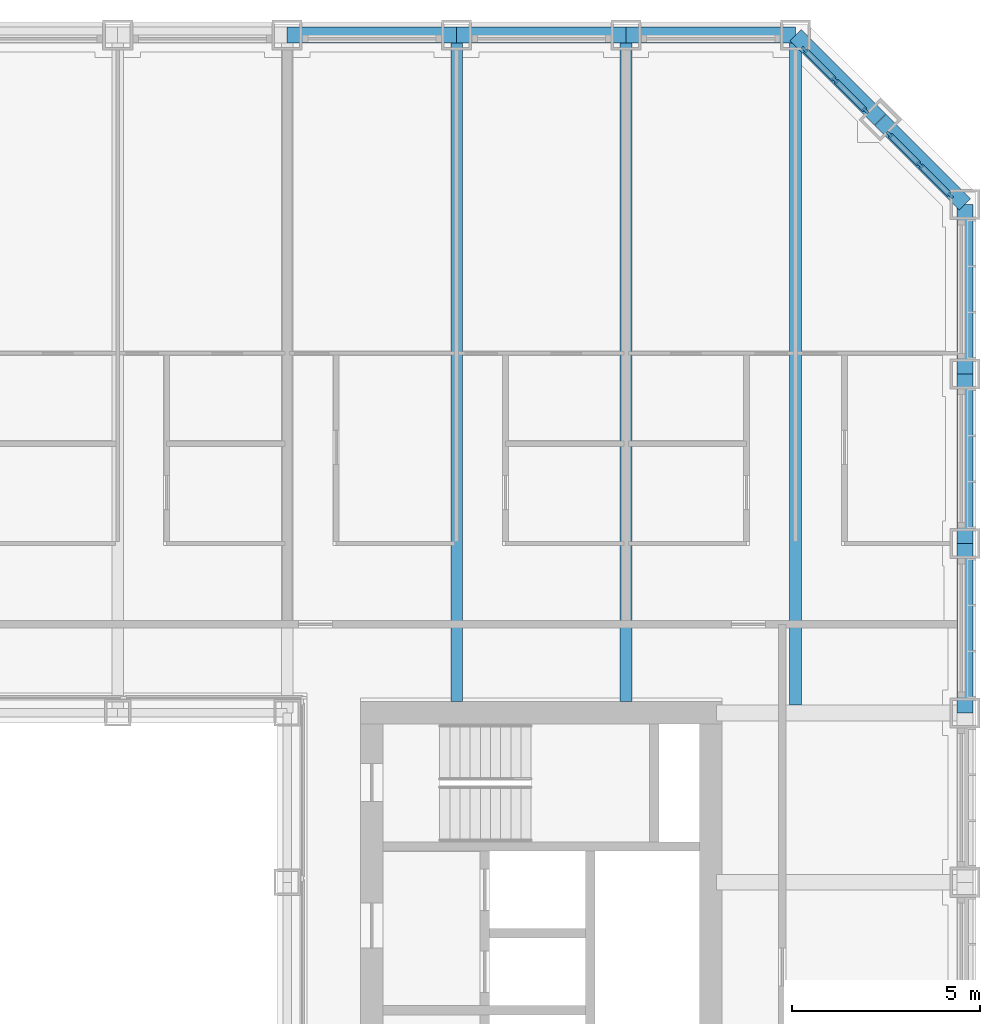
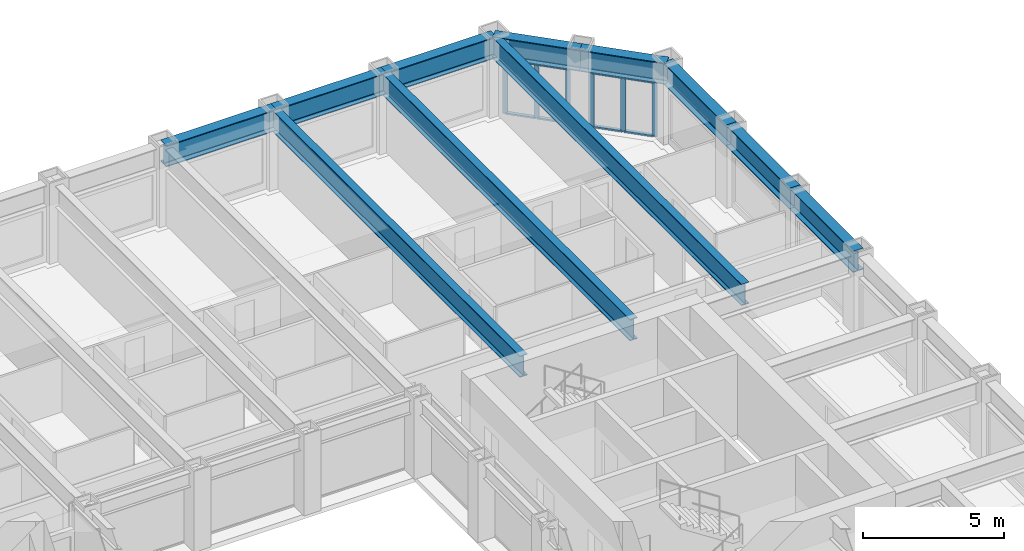
# One storey, part 7 of 21: 14 members, 11 beams, 2 elements without a shape of their own.
"""IFC4 building model written with IfcOpenShell, lengths in metres."""

from ifc_helpers import new_model, si_unit, direction, frame, origin, origin_2d, place, context, subcontext, project, spatial, rectangle, i_section, extrude, material, material_profile, profile_set, type_object, element, aggregate, save


model = new_model("IFC4")

# Units and contexts
model_context = context("Model", 3, precision=1e-05, world=origin(), true_north=direction((0.0, 1.0)))
body_context = subcontext(model_context, "Body", "Model", "MODEL_VIEW")
ifc_project = project(units=[si_unit("LENGTHUNIT", "METRE"), si_unit("AREAUNIT", "SQUARE_METRE"), si_unit("VOLUMEUNIT", "CUBIC_METRE"), si_unit("PLANEANGLEUNIT", "RADIAN"), si_unit("MASSUNIT", "GRAM", prefix="KILO")], contexts=[model_context])

# Site, building, storey
site_placement = place(None, origin())
site = spatial("IfcSite", under=ifc_project, at=site_placement, CompositionType="ELEMENT")
building_placement = place(site_placement, origin())
building = spatial("IfcBuilding", under=site, at=building_placement, Name="Msasa Ring Tower", CompositionType="ELEMENT")
storey_placement = place(building_placement, frame((0.0, 0.0, 54.5)))
storey = spatial("IfcBuildingStorey", under=building, at=storey_placement, Name="L13", CompositionType="ELEMENT", Elevation=54.5)

# Curtain wall, members
ifc_material_1 = material(Name="Aluminium curtain wall with clear glass", Category="aluminium")
curtain_wall_type = type_object("IfcCurtainWallType", Name="CW-C CHAMFER CORNER CURTAIN WALL", PredefinedType="NOTDEFINED", material=ifc_material_1)
curtain_wall_1_placement = place(storey_placement, origin())
curtain_wall_1 = element("IfcCurtainWall", 1, at=curtain_wall_1_placement, inside=storey, type_object=curtain_wall_type, Name="Chamfer corner curtain wall NE L13", PredefinedType="NOTDEFINED")
ifc_material_2 = material(Name="Aluminium mullion", Category="aluminium")
ifc_material_profile_1 = material_profile(ifc_material_2, rectangle(XDim=0.06494140625, YDim=0.179931640625, at=origin_2d()), Name="AL 65x180")
ifc_profile_set_1 = profile_set([ifc_material_profile_1], Name="Aluminium mullion")
member_type_1 = type_object("IfcMemberType", Name="CW-C MULLION 65x180", PredefinedType="MULLION", material=ifc_profile_set_1)
member_1_placement = place(storey_placement, frame((22.119873046875, 22.73876953125, 0.0), z_axis=(0.0, 0.0, 1.0), x_axis=(-0.707106781187, -0.707106781187, 0.0)))
member_1 = element("IfcMember", 2, at=member_1_placement, type_object=member_type_1, Name="CW-C mullion 1", PredefinedType="MULLION", context=body_context, shape_type="SweptSolid", body=[
    extrude(rectangle(XDim=0.06494140625, YDim=0.179931640625, at=origin_2d()), origin(), (0.0, 0.0, 1.0), 2.37890625),
])
member_2_placement = place(storey_placement, frame((21.30419921875, 23.55419921875, 0.0), z_axis=(0.0, 0.0, 1.0), x_axis=(-0.707106781187, -0.707106781187, 0.0)))
member_2 = element("IfcMember", 3, at=member_2_placement, type_object=member_type_1, Name="CW-C mullion 2", PredefinedType="MULLION", context=body_context, shape_type="SweptSolid", body=[
    extrude(rectangle(XDim=0.06494140625, YDim=0.179931640625, at=origin_2d()), origin(), (0.0, 0.0, 1.0), 2.37890625),
])
member_3_placement = place(storey_placement, frame((20.48876953125, 24.369873046875, 0.0), z_axis=(0.0, 0.0, 1.0), x_axis=(-0.707106781187, -0.707106781187, 0.0)))
member_3 = element("IfcMember", 4, at=member_3_placement, type_object=member_type_1, Name="CW-C mullion 3", PredefinedType="MULLION", context=body_context, shape_type="SweptSolid", body=[
    extrude(rectangle(XDim=0.06494140625, YDim=0.179931640625, at=origin_2d()), origin(), (0.0, 0.0, 1.0), 2.37890625),
])

curtain_wall_2_placement = place(storey_placement, origin())
curtain_wall_2 = element("IfcCurtainWall", 5, at=curtain_wall_2_placement, inside=storey, type_object=curtain_wall_type, Name="Chamfer corner curtain wall NE L13", PredefinedType="NOTDEFINED")
member_4_placement = place(storey_placement, frame((24.369873046875, 20.48876953125, 0.0), z_axis=(0.0, 0.0, 1.0), x_axis=(-0.707106781187, -0.707106781187, 0.0)))
member_4 = element("IfcMember", 6, at=member_4_placement, type_object=member_type_1, Name="CW-C mullion 1", PredefinedType="MULLION", context=body_context, shape_type="SweptSolid", body=[
    extrude(rectangle(XDim=0.06494140625, YDim=0.179931640625, at=origin_2d()), origin(), (0.0, 0.0, 1.0), 2.37890625),
])
member_5_placement = place(storey_placement, frame((23.55419921875, 21.30419921875, 0.0), z_axis=(0.0, 0.0, 1.0), x_axis=(-0.707106781187, -0.707106781187, 0.0)))
member_5 = element("IfcMember", 7, at=member_5_placement, type_object=member_type_1, Name="CW-C mullion 2", PredefinedType="MULLION", context=body_context, shape_type="SweptSolid", body=[
    extrude(rectangle(XDim=0.06494140625, YDim=0.179931640625, at=origin_2d()), origin(), (0.0, 0.0, 1.0), 2.37890625),
])
member_6_placement = place(storey_placement, frame((22.73876953125, 22.119873046875, 0.0), z_axis=(0.0, 0.0, 1.0), x_axis=(-0.707106781187, -0.707106781187, 0.0)))
member_6 = element("IfcMember", 8, at=member_6_placement, type_object=member_type_1, Name="CW-C mullion 3", PredefinedType="MULLION", context=body_context, shape_type="SweptSolid", body=[
    extrude(rectangle(XDim=0.06494140625, YDim=0.179931640625, at=origin_2d()), origin(), (0.0, 0.0, 1.0), 2.37890625),
])

# Member
ifc_material_3 = material(Name="Aluminium transom", Category="aluminium")
ifc_material_profile_2 = material_profile(ifc_material_3, rectangle(XDim=0.139892578125, YDim=0.06494140625, at=origin_2d()), Name="AL 65x140")
ifc_profile_set_2 = profile_set([ifc_material_profile_2], Name="Aluminium transom")
member_type_2 = type_object("IfcMemberType", Name="CW-C TRANSOM 65x140", PredefinedType="USERDEFINED", material=ifc_profile_set_2)
member_7_placement = place(storey_placement, frame((22.096923828125, 22.76171875, 0.032470703125), z_axis=(-0.707106781187, 0.707106781187, 0.0), x_axis=(-0.707106781187, -0.707106781187, 0.0)))
member_7 = element("IfcMember", 9, at=member_7_placement, type_object=member_type_2, Name="CW-C transom 1.1", ObjectType="TRANSOM", PredefinedType="USERDEFINED", context=body_context, shape_type="SweptSolid", body=[
    extrude(rectangle(XDim=0.139892578125, YDim=0.06494140625, at=origin_2d()), origin(), (0.0, 0.0, 1.0), 1.08837890625),
])

member_8_placement = place(storey_placement, frame((22.096923828125, 22.76171875, 2.346435546875), z_axis=(-0.707106781187, 0.707106781187, 0.0), x_axis=(-0.707106781187, -0.707106781187, 0.0)))
member_8 = element("IfcMember", 10, at=member_8_placement, type_object=member_type_2, Name="CW-C transom 1.2", ObjectType="TRANSOM", PredefinedType="USERDEFINED", context=body_context, shape_type="SweptSolid", body=[
    extrude(rectangle(XDim=0.139892578125, YDim=0.06494140625, at=origin_2d()), origin(), (0.0, 0.0, 1.0), 1.08837890625),
])

member_9_placement = place(storey_placement, frame((21.28125, 23.577392578125, 0.032470703125), z_axis=(-0.707106781187, 0.707106781187, 0.0), x_axis=(-0.707106781187, -0.707106781187, 0.0)))
member_9 = element("IfcMember", 11, at=member_9_placement, type_object=member_type_2, Name="CW-C transom 2.1", ObjectType="TRANSOM", PredefinedType="USERDEFINED", context=body_context, shape_type="SweptSolid", body=[
    extrude(rectangle(XDim=0.139892578125, YDim=0.06494140625, at=origin_2d()), origin(), (0.0, 0.0, 1.0), 1.08837890625),
])

member_10_placement = place(storey_placement, frame((21.28125, 23.577392578125, 2.346435546875), z_axis=(-0.707106781187, 0.707106781187, 0.0), x_axis=(-0.707106781187, -0.707106781187, 0.0)))
member_10 = element("IfcMember", 12, at=member_10_placement, type_object=member_type_2, Name="CW-C transom 2.2", ObjectType="TRANSOM", PredefinedType="USERDEFINED", context=body_context, shape_type="SweptSolid", body=[
    extrude(rectangle(XDim=0.139892578125, YDim=0.06494140625, at=origin_2d()), origin(), (0.0, 0.0, 1.0), 1.08837890625),
])

aggregate(curtain_wall_1, [member_1, member_2, member_3, member_7, member_8, member_9, member_10])

member_11_placement = place(storey_placement, frame((24.346923828125, 20.51171875, 0.032470703125), z_axis=(-0.707106781187, 0.707106781187, 0.0), x_axis=(-0.707106781187, -0.707106781187, 0.0)))
member_11 = element("IfcMember", 13, at=member_11_placement, type_object=member_type_2, Name="CW-C transom 1.1", ObjectType="TRANSOM", PredefinedType="USERDEFINED", context=body_context, shape_type="SweptSolid", body=[
    extrude(rectangle(XDim=0.139892578125, YDim=0.06494140625, at=origin_2d()), origin(), (0.0, 0.0, 1.0), 1.08837890625),
])

member_12_placement = place(storey_placement, frame((24.346923828125, 20.51171875, 2.346435546875), z_axis=(-0.707106781187, 0.707106781187, 0.0), x_axis=(-0.707106781187, -0.707106781187, 0.0)))
member_12 = element("IfcMember", 14, at=member_12_placement, type_object=member_type_2, Name="CW-C transom 1.2", ObjectType="TRANSOM", PredefinedType="USERDEFINED", context=body_context, shape_type="SweptSolid", body=[
    extrude(rectangle(XDim=0.139892578125, YDim=0.06494140625, at=origin_2d()), origin(), (0.0, 0.0, 1.0), 1.08837890625),
])

member_13_placement = place(storey_placement, frame((23.53125, 21.327392578125, 0.032470703125), z_axis=(-0.707106781187, 0.707106781187, 0.0), x_axis=(-0.707106781187, -0.707106781187, 0.0)))
member_13 = element("IfcMember", 15, at=member_13_placement, type_object=member_type_2, Name="CW-C transom 2.1", ObjectType="TRANSOM", PredefinedType="USERDEFINED", context=body_context, shape_type="SweptSolid", body=[
    extrude(rectangle(XDim=0.139892578125, YDim=0.06494140625, at=origin_2d()), origin(), (0.0, 0.0, 1.0), 1.08837890625),
])

member_14_placement = place(storey_placement, frame((23.53125, 21.327392578125, 2.346435546875), z_axis=(-0.707106781187, 0.707106781187, 0.0), x_axis=(-0.707106781187, -0.707106781187, 0.0)))
member_14 = element("IfcMember", 16, at=member_14_placement, type_object=member_type_2, Name="CW-C transom 2.2", ObjectType="TRANSOM", PredefinedType="USERDEFINED", context=body_context, shape_type="SweptSolid", body=[
    extrude(rectangle(XDim=0.139892578125, YDim=0.06494140625, at=origin_2d()), origin(), (0.0, 0.0, 1.0), 1.08837890625),
])

aggregate(curtain_wall_2, [member_4, member_5, member_6, member_11, member_12, member_13, member_14])

# Beams
ifc_material_4 = material(Name="Steel S355", Category="steel")
ifc_material_profile_3 = material_profile(ifc_material_4, i_section(OverallWidth=0.3076171875, OverallDepth=0.926513671875, WebThickness=0.01953125, FlangeThickness=0.031982421875, FilletRadius=0.01904296875, at=origin_2d()), Name="UB 914x305x289")
ifc_profile_set_3 = profile_set([ifc_material_profile_3], Name="Steel S355")
beam_type_1 = type_object("IfcBeamType", Name="FB3 UB 914x305x289", PredefinedType="BEAM", material=ifc_profile_set_3)
for number, where, z_axis, x_axis, name in (
    (17, (11.25, 24.75, 2.836669921875), (0.0, -1.0, 0.0), (1.0, 0.0, 0.0), "Floor beam N+11.25 under L14"),
    (18, (15.75, 24.75, 2.836669921875), (0.0, -1.0, 0.0), (1.0, 0.0, 0.0), "Floor beam N+15.75 under L14"),
):
    element("IfcBeam", number, at=place(storey_placement, frame(where, z_axis=z_axis, x_axis=x_axis)), inside=storey, type_object=beam_type_1, Name=name, PredefinedType="BEAM", context=body_context, shape_type="SweptSolid", body=[
        extrude(i_section(OverallWidth=0.3076171875, OverallDepth=0.926513671875, WebThickness=0.01953125, FlangeThickness=0.031982421875, FilletRadius=0.01904296875, at=origin_2d()), origin(), (0.0, 0.0, 1.0), 17.699951171875),
    ])
beam_placement = place(storey_placement, frame((20.25, 24.75, 2.836669921875), z_axis=(0.0, -1.0, 0.0), x_axis=(1.0, 0.0, 0.0)))
element("IfcBeam", 19, at=beam_placement, inside=storey, type_object=beam_type_1, Name="Floor beam N+20.25 under L14", PredefinedType="BEAM", context=body_context, shape_type="SweptSolid", body=[
    extrude(i_section(OverallWidth=0.3076171875, OverallDepth=0.926513671875, WebThickness=0.01953125, FlangeThickness=0.031982421875, FilletRadius=0.01904296875, at=origin_2d()), origin(), (0.0, 0.0, 1.0), 17.789794921875),
])
ifc_material_5 = material(Name="Steel S355", Category="steel")
ifc_material_profile_4 = material_profile(ifc_material_5, i_section(OverallWidth=0.42041015625, OverallDepth=0.9208984375, WebThickness=0.021484375, FlangeThickness=0.03662109375, FilletRadius=0.024169921875, at=origin_2d()), Name="UB 914x419x388")
ifc_profile_set_4 = profile_set([ifc_material_profile_4], Name="Steel S355")
beam_type_2 = type_object("IfcBeamType", Name="SB1 UB 914x419x388", PredefinedType="SPANDREL", material=ifc_profile_set_4)
for number, where, z_axis, x_axis, name in (
    (20, (24.75, 6.75, 2.839599609375), (0.0, 1.0, 0.0), (-1.0, 0.0, 0.0), "Spandrel E+6.75 to E+11.25 under L14"),
    (21, (24.75, 11.25, 2.839599609375), (0.0, 1.0, 0.0), (-1.0, 0.0, 0.0), "Spandrel E+11.25 to E+15.75 under L14"),
    (22, (24.75, 15.75, 2.839599609375), (0.0, 1.0, 0.0), (-1.0, 0.0, 0.0), "Spandrel E+15.75 to E+20.25 under L14"),
):
    element("IfcBeam", number, at=place(storey_placement, frame(where, z_axis=z_axis, x_axis=x_axis)), inside=storey, type_object=beam_type_2, Name=name, PredefinedType="SPANDREL", context=body_context, shape_type="SweptSolid", body=[
        extrude(i_section(OverallWidth=0.42041015625, OverallDepth=0.9208984375, WebThickness=0.021484375, FlangeThickness=0.03662109375, FilletRadius=0.024169921875, at=origin_2d()), origin(), (0.0, 0.0, 1.0), 4.5),
    ])
for number, where, z_axis, x_axis, name in (
    (23, (24.75, 20.25, 2.839599609375), (-0.707106781187, 0.707106781187, 0.0), (-0.707106781187, -0.707106781187, 0.0), "Spandrel E+20.25 to NE under L14"),
    (24, (22.5, 22.5, 2.839599609375), (-0.707106781187, 0.707106781187, 0.0), (-0.707106781187, -0.707106781187, 0.0), "Spandrel NE to N+20.25 under L14"),
):
    element("IfcBeam", number, at=place(storey_placement, frame(where, z_axis=z_axis, x_axis=x_axis)), inside=storey, type_object=beam_type_2, Name=name, PredefinedType="SPANDREL", context=body_context, shape_type="SweptSolid", body=[
        extrude(i_section(OverallWidth=0.42041015625, OverallDepth=0.9208984375, WebThickness=0.021484375, FlangeThickness=0.03662109375, FilletRadius=0.024169921875, at=origin_2d()), origin(), (0.0, 0.0, 1.0), 3.181884765625),
    ])
for number, where, z_axis, x_axis, name in (
    (25, (20.25, 24.75, 2.839599609375), (-1.0, 0.0, 0.0), (0.0, -1.0, 0.0), "Spandrel N+20.25 to N+15.75 under L14"),
    (26, (15.75, 24.75, 2.839599609375), (-1.0, 0.0, 0.0), (0.0, -1.0, 0.0), "Spandrel N+15.75 to N+11.25 under L14"),
    (27, (11.25, 24.75, 2.839599609375), (-1.0, 0.0, 0.0), (0.0, -1.0, 0.0), "Spandrel N+11.25 to N+6.75 under L14"),
):
    element("IfcBeam", number, at=place(storey_placement, frame(where, z_axis=z_axis, x_axis=x_axis)), inside=storey, type_object=beam_type_2, Name=name, PredefinedType="SPANDREL", context=body_context, shape_type="SweptSolid", body=[
        extrude(i_section(OverallWidth=0.42041015625, OverallDepth=0.9208984375, WebThickness=0.021484375, FlangeThickness=0.03662109375, FilletRadius=0.024169921875, at=origin_2d()), origin(), (0.0, 0.0, 1.0), 4.5),
    ])

save(model, "model.ifc")
